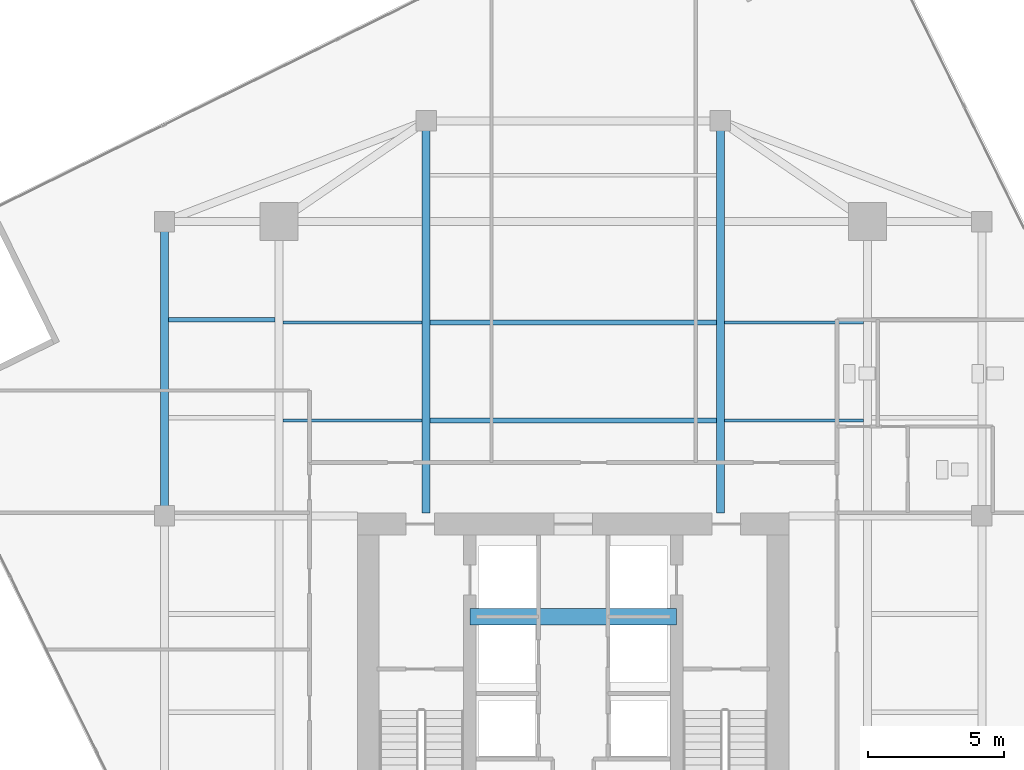
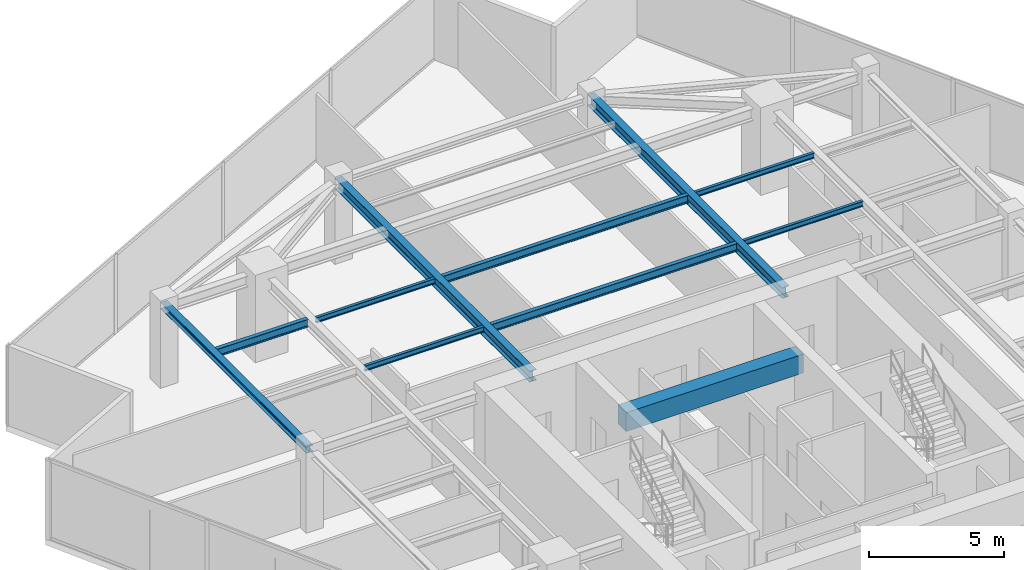
# One storey, part 7 of 22: 11 beams.
"""IFC4 building model written with IfcOpenShell, lengths in metres."""

from ifc_helpers import new_model, si_unit, direction, frame, origin, origin_2d, place, context, subcontext, project, spatial, rectangle, i_section, extrude, source, transform, mapped, material, material_profile, profile_set, type_object, type_shapes, element, save


model = new_model("IFC4")

# Units and contexts
model_context = context("Model", 3, precision=1e-05, world=origin(), true_north=direction((0.0, 1.0)))
body_context = subcontext(model_context, "Body", "Model", "MODEL_VIEW")
ifc_project = project(units=[si_unit("LENGTHUNIT", "METRE"), si_unit("AREAUNIT", "SQUARE_METRE"), si_unit("VOLUMEUNIT", "CUBIC_METRE"), si_unit("PLANEANGLEUNIT", "RADIAN"), si_unit("MASSUNIT", "GRAM", prefix="KILO")], contexts=[model_context])

# Site, building, storey
site_placement = place(None, origin())
site = spatial("IfcSite", under=ifc_project, at=site_placement, CompositionType="ELEMENT")
building_placement = place(site_placement, origin())
building = spatial("IfcBuilding", under=site, at=building_placement, Name="Krantzveldt Concourse Tower", CompositionType="ELEMENT")
storey_placement = place(building_placement, frame((0.0, 0.0, 314.800048828125)))
storey = spatial("IfcBuildingStorey", under=building, at=storey_placement, Name="L77", CompositionType="ELEMENT", Elevation=314.800048828125)

# Beams
ifc_material_1 = material(Name="Steel S355JR", Category="steel")
ifc_material_profile_1 = material_profile(ifc_material_1, i_section(OverallWidth=0.169921875, OverallDepth=0.360107421875, WebThickness=0.008056640625, FlangeThickness=0.0126953125, FilletRadius=0.01806640625, at=origin_2d()), Name="Steel S355JR", Category="steel")
ifc_profile_set_1 = profile_set([ifc_material_profile_1], Name="Steel S355JR - IPE 360")
beam_type_1 = type_object("IfcBeamType", Name="BM-J-IPE360", PredefinedType="JOIST", material=ifc_profile_set_1)
shared_shape_1 = source(origin(), body_context, "Body", "SweptSolid", [
    extrude(i_section(OverallWidth=0.169921875, OverallDepth=0.360107421875, WebThickness=0.008056640625, FlangeThickness=0.0126953125, FilletRadius=0.01806640625, at=origin_2d()), origin(), (0.0, 0.0, 1.0), 10.5),
])
for number, where, z_axis, x_axis, name in (
    (1, (30.75, 30.199951171875, 3.409912109375), (1.0, 0.0, 0.0), (0.0, 1.0, 0.0), "L77 Secondary Floor Joist JN-C1"),
    (2, (30.75, 33.800048828125, 3.409912109375), (1.0, 0.0, 0.0), (0.0, 1.0, 0.0), "L77 Secondary Floor Joist JN-C2"),
):
    element("IfcBeam", number, at=place(storey_placement, frame(where, z_axis=z_axis, x_axis=x_axis)), inside=storey, type_object=beam_type_1, Name=name, PredefinedType="JOIST", context=body_context, shape_type="MappedRepresentation", body=[
        mapped(shared_shape_1, transform((0.0, 0.0, 0.0), x_axis=(1.0, 0.0, 0.0), y_axis=(0.0, 1.0, 0.0), z_axis=(0.0, 0.0, 1.0), scale=1.0)),
    ])
ifc_material_profile_2 = material_profile(ifc_material_1, i_section(OverallWidth=0.300048828125, OverallDepth=0.489990234375, WebThickness=0.011962890625, FlangeThickness=0.02294921875, FilletRadius=0.027099609375, at=origin_2d()), Name="Steel S355JR", Category="steel")
ifc_profile_set_2 = profile_set([ifc_material_profile_2], Name="Steel S355JR - HEA 500")
beam_type_2 = type_object("IfcBeamType", Name="BM-B-HEA500", PredefinedType="BEAM", material=ifc_profile_set_2)
shared_shape_2 = source(origin(), body_context, "Body", "SweptSolid", [
    extrude(i_section(OverallWidth=0.300048828125, OverallDepth=0.489990234375, WebThickness=0.011962890625, FlangeThickness=0.02294921875, FilletRadius=0.027099609375, at=origin_2d()), origin(), (0.0, 0.0, 1.0), 14.39990234375),
])
type_shapes(beam_type_2, [shared_shape_2])
for number, where, z_axis, x_axis, name in (
    (3, (30.60009765625, 26.800048828125, 3.344970703125), (0.0, 1.0, 0.0), (-1.0, 0.0, 0.0), "L77 Tower Girder BG-CNW"),
    (4, (41.39990234375, 26.800048828125, 3.344970703125), (0.0, 1.0, 0.0), (-1.0, 0.0, 0.0), "L77 Tower Girder BG-CNE"),
):
    element("IfcBeam", number, at=place(storey_placement, frame(where, z_axis=z_axis, x_axis=x_axis)), inside=storey, type_object=beam_type_2, Name=name, PredefinedType="BEAM", context=body_context, shape_type="MappedRepresentation", body=[
        mapped(shared_shape_2, transform((0.0, 0.0, 0.0), x_axis=(1.0, 0.0, 0.0), y_axis=(0.0, 1.0, 0.0), z_axis=(0.0, 0.0, 1.0), scale=1.0)),
    ])
ifc_material_2 = material(Name="Concrete C50/60", Category="concrete")
ifc_material_profile_3 = material_profile(ifc_material_2, rectangle(XDim=0.60009765625, YDim=0.85009765625, at=origin_2d()), Name="Concrete C50/60", Category="concrete")
ifc_profile_set_3 = profile_set([ifc_material_profile_3], Name="Concrete C50/60 - RC-CB 600x850")
beam_type_3 = type_object("IfcBeamType", Name="BM-CB-850", PredefinedType="LINTEL", material=ifc_profile_set_3)
shared_shape_3 = source(origin(), body_context, "Body", "SweptSolid", [
    extrude(rectangle(XDim=0.60009765625, YDim=0.85009765625, at=origin_2d()), origin(), (0.0, 0.0, 1.0), 7.580078125),
])
type_shapes(beam_type_3, [shared_shape_3])
beam_1_placement = place(storey_placement, frame((32.2099609375, 23.0, 3.1650390625), z_axis=(1.0, 0.0, 0.0), x_axis=(0.0, 1.0, 0.0)))
element("IfcBeam", 5, at=beam_1_placement, inside=storey, type_object=beam_type_3, Name="CB-L77-01", PredefinedType="LINTEL", context=body_context, shape_type="MappedRepresentation", body=[
    mapped(shared_shape_3, transform((0.0, 0.0, 0.0), x_axis=(1.0, 0.0, 0.0), y_axis=(0.0, 1.0, 0.0), z_axis=(0.0, 0.0, 1.0), scale=1.0)),
])
ifc_material_profile_4 = material_profile(ifc_material_1, i_section(OverallWidth=0.2900390625, OverallDepth=0.2900390625, WebThickness=0.008544921875, FlangeThickness=0.013916015625, FilletRadius=0.027099609375, at=origin_2d()), Name="Steel S355JR", Category="steel")
ifc_profile_set_4 = profile_set([ifc_material_profile_4], Name="Steel S355JR - HEA 300")
beam_type_4 = type_object("IfcBeamType", Name="BM-SP-HEA300", PredefinedType="SPANDREL", material=ifc_profile_set_4)
shared_shape_4 = source(origin(), body_context, "Body", "SweptSolid", [
    extrude(i_section(OverallWidth=0.2900390625, OverallDepth=0.2900390625, WebThickness=0.008544921875, FlangeThickness=0.013916015625, FilletRadius=0.027099609375, at=origin_2d()), origin(), (0.0, 0.0, 1.0), 10.800048828125),
])
type_shapes(beam_type_4, [shared_shape_4])
beam_2_placement = place(storey_placement, frame((21.0, 26.699951171875, 3.445068359375), z_axis=(0.0, 1.0, 0.0), x_axis=(-1.0, 0.0, 0.0)))
element("IfcBeam", 6, at=beam_2_placement, inside=storey, type_object=beam_type_4, Name="L77 Tower Girder SP-R02", PredefinedType="SPANDREL", context=body_context, shape_type="MappedRepresentation", body=[
    mapped(shared_shape_4, transform((0.0, 0.0, 0.0), x_axis=(1.0, 0.0, 0.0), y_axis=(0.0, 1.0, 0.0), z_axis=(0.0, 0.0, 1.0), scale=1.0)),
])
ifc_material_profile_5 = material_profile(ifc_material_1, i_section(OverallWidth=0.1201171875, OverallDepth=0.239990234375, WebThickness=0.006103515625, FlangeThickness=0.009765625, FilletRadius=0.014892578125, at=origin_2d()), Name="Steel S355JR", Category="steel")
ifc_profile_set_5 = profile_set([ifc_material_profile_5], Name="Steel S355JR - IPE 240")
beam_type_5 = type_object("IfcBeamType", Name="BM-LN-IPE240", PredefinedType="LINTEL", material=ifc_profile_set_5)
shared_shape_5 = source(origin(), body_context, "Body", "SweptSolid", [
    extrude(i_section(OverallWidth=0.1201171875, OverallDepth=0.239990234375, WebThickness=0.006103515625, FlangeThickness=0.009765625, FilletRadius=0.014892578125, at=origin_2d()), origin(), (0.0, 0.0, 1.0), 5.099853515625),
])
type_shapes(beam_type_5, [shared_shape_5])
for number, where, z_axis, x_axis, name in (
    (7, (25.35009765625, 30.199951171875, 3.469970703125), (1.0, 0.0, 0.0), (0.0, 1.0, 0.0), "L77 Secondary Floor Joist JN-W1"),
    (8, (25.35009765625, 33.800048828125, 3.469970703125), (1.0, 0.0, 0.0), (0.0, 1.0, 0.0), "L77 Secondary Floor Joist JN-W2"),
    (9, (41.550048828125, 30.199951171875, 3.469970703125), (1.0, 0.0, 0.0), (0.0, 1.0, 0.0), "L77 Secondary Floor Joist JN-E1"),
    (10, (41.550048828125, 33.800048828125, 3.469970703125), (1.0, 0.0, 0.0), (0.0, 1.0, 0.0), "L77 Secondary Floor Joist JN-E2"),
):
    element("IfcBeam", number, at=place(storey_placement, frame(where, z_axis=z_axis, x_axis=x_axis)), inside=storey, type_object=beam_type_5, Name=name, PredefinedType="LINTEL", context=body_context, shape_type="MappedRepresentation", body=[
        mapped(shared_shape_5, transform((0.0, 0.0, 0.0), x_axis=(1.0, 0.0, 0.0), y_axis=(0.0, 1.0, 0.0), z_axis=(0.0, 0.0, 1.0), scale=1.0)),
    ])
shared_shape_6 = source(origin(), body_context, "Body", "SweptSolid", [
    extrude(i_section(OverallWidth=0.169921875, OverallDepth=0.360107421875, WebThickness=0.008056640625, FlangeThickness=0.0126953125, FilletRadius=0.01806640625, at=origin_2d()), origin(), (0.0, 0.0, 1.0), 3.900146484375),
])
type_shapes(beam_type_1, [shared_shape_1, shared_shape_6])
beam_3_placement = place(storey_placement, frame((21.14990234375, 33.89990234375, 3.409912109375), z_axis=(1.0, 0.0, 0.0), x_axis=(0.0, 1.0, 0.0)))
element("IfcBeam", 11, at=beam_3_placement, inside=storey, type_object=beam_type_1, Name="L77 Secondary Floor Joist JW-4", PredefinedType="JOIST", context=body_context, shape_type="MappedRepresentation", body=[
    mapped(shared_shape_6, transform((0.0, 0.0, 0.0), x_axis=(1.0, 0.0, 0.0), y_axis=(0.0, 1.0, 0.0), z_axis=(0.0, 0.0, 1.0), scale=1.0)),
])

save(model, "model.ifc")
